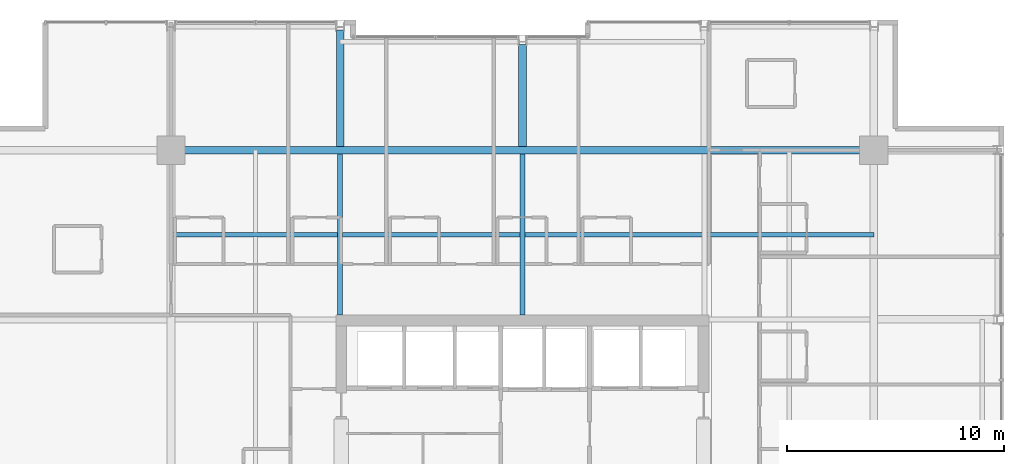
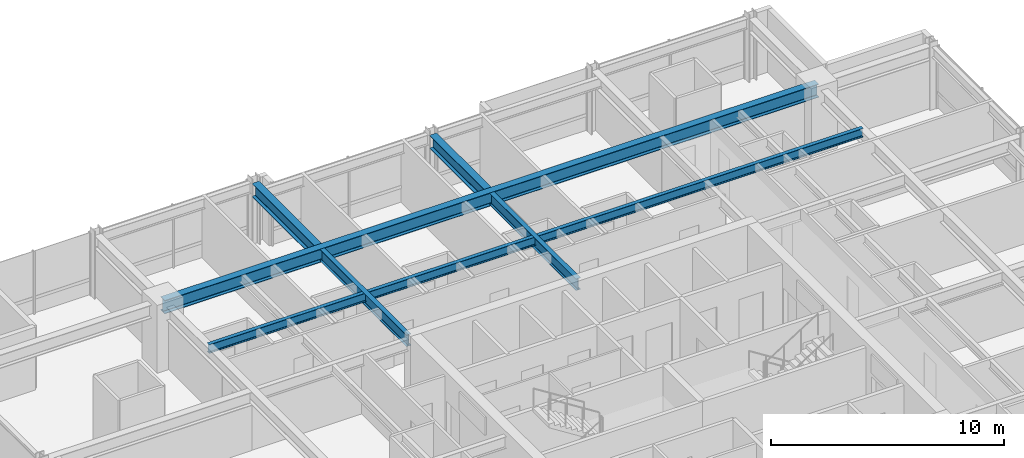
# One storey, part 19 of 33: 6 beams.
"""IFC4 building model written with IfcOpenShell, lengths in metres."""

from ifc_helpers import new_model, si_unit, direction, frame, origin, origin_2d, place, context, subcontext, project, spatial, i_section, extrude, material, material_profile, profile_set, type_object, element, save


model = new_model("IFC4")

# Units and contexts
model_context = context("Model", 3, precision=1e-05, world=origin(), true_north=direction((0.0, 1.0)))
body_context = subcontext(model_context, "Body", "Model", "MODEL_VIEW")
ifc_project = project(units=[si_unit("LENGTHUNIT", "METRE"), si_unit("AREAUNIT", "SQUARE_METRE"), si_unit("VOLUMEUNIT", "CUBIC_METRE"), si_unit("PLANEANGLEUNIT", "RADIAN"), si_unit("MASSUNIT", "GRAM", prefix="KILO")], contexts=[model_context])

# Site, building, storey
site_placement = place(None, origin())
site = spatial("IfcSite", under=ifc_project, at=site_placement, CompositionType="ELEMENT")
building_placement = place(site_placement, origin())
building = spatial("IfcBuilding", under=site, at=building_placement, Name="Drelvath Grand Hotel", CompositionType="ELEMENT")
storey_placement = place(building_placement, frame((0.0, 0.0, 153.949951171875)))
storey = spatial("IfcBuildingStorey", under=building, at=storey_placement, Name="L39", CompositionType="ELEMENT", Elevation=153.949951171875)

# Beams
ifc_material = material(Name="Steel ASTM A992 Gr 50", Category="steel")
ifc_material_profile_1 = material_profile(ifc_material, i_section(OverallWidth=0.19140625, OverallDepth=0.4599609375, WebThickness=0.010009765625, FlangeThickness=0.01611328125, FilletRadius=0.01611328125, at=origin_2d()), Name="W18X55")
ifc_profile_set_1 = profile_set([ifc_material_profile_1], Name="Steel ASTM A992 Gr 50")
beam_type_1 = type_object("IfcBeamType", Name="Composite Floor Joist W18X55", PredefinedType="JOIST", material=ifc_profile_set_1)
beam_1_placement = place(storey_placement, frame((-16.199951171875, 39.300048828125, 3.06005859375), z_axis=(1.0, 0.0, 0.0), x_axis=(0.0, 1.0, 0.0)))
element("IfcBeam", 1, at=beam_1_placement, inside=storey, type_object=beam_type_1, Name="L39 Floor Joist J2", PredefinedType="JOIST", context=body_context, shape_type="SweptSolid", body=[
    extrude(i_section(OverallWidth=0.19140625, OverallDepth=0.4599609375, WebThickness=0.010009765625, FlangeThickness=0.01611328125, FilletRadius=0.01611328125, at=origin_2d()), origin(), (0.0, 0.0, 1.0), 32.39990234375),
])
ifc_material_profile_2 = material_profile(ifc_material, i_section(OverallWidth=0.228271484375, OverallDepth=0.607666015625, WebThickness=0.01123046875, FlangeThickness=0.017333984375, FilletRadius=0.02001953125, at=origin_2d()), Name="W24X76")
ifc_profile_set_2 = profile_set([ifc_material_profile_2], Name="Steel ASTM A992 Gr 50")
beam_type_2 = type_object("IfcBeamType", Name="Primary Floor Girder W24X76", PredefinedType="BEAM", material=ifc_profile_set_2)
for number, where, z_axis, x_axis, name in (
    (2, (-8.39990234375, 35.60009765625, 2.986328125), (0.0, 1.0, 0.0), (-1.0, 0.0, 0.0), "L39 North Core Tie 4"),
    (3, (0.0, 35.60009765625, 2.986328125), (0.0, 1.0, 0.0), (-1.0, 0.0, 0.0), "L39 North Core Tie 5"),
):
    element("IfcBeam", number, at=place(storey_placement, frame(where, z_axis=z_axis, x_axis=x_axis)), inside=storey, type_object=beam_type_2, Name=name, PredefinedType="BEAM", context=body_context, shape_type="SweptSolid", body=[
        extrude(i_section(OverallWidth=0.228271484375, OverallDepth=0.607666015625, WebThickness=0.01123046875, FlangeThickness=0.017333984375, FilletRadius=0.02001953125, at=origin_2d()), origin(), (0.0, 0.0, 1.0), 7.422607421875),
    ])
ifc_material_profile_3 = material_profile(ifc_material, i_section(OverallWidth=0.354736328125, OverallDepth=0.695556640625, WebThickness=0.015380859375, FlangeThickness=0.025146484375, FilletRadius=0.02392578125, at=origin_2d()), Name="W27X146")
ifc_profile_set_3 = profile_set([ifc_material_profile_3], Name="Steel ASTM A992 Gr 50")
beam_type_3 = type_object("IfcBeamType", Name="Primary Floor Girder W27X146", PredefinedType="BEAM", material=ifc_profile_set_3)
beam_2_placement = place(storey_placement, frame((-16.199951171875, 43.199951171875, 2.9423828125), z_axis=(1.0, 0.0, 0.0), x_axis=(0.0, 1.0, 0.0)))
element("IfcBeam", 4, at=beam_2_placement, inside=storey, type_object=beam_type_3, Name="L39 Mega Ring Girder North", PredefinedType="BEAM", context=body_context, shape_type="SweptSolid", body=[
    extrude(i_section(OverallWidth=0.354736328125, OverallDepth=0.695556640625, WebThickness=0.015380859375, FlangeThickness=0.025146484375, FilletRadius=0.02392578125, at=origin_2d()), origin(), (0.0, 0.0, 1.0), 32.39990234375),
])
beam_3_placement = place(storey_placement, frame((-8.39990234375, 43.37744140625, 2.9423828125), z_axis=(0.0, 1.0, 0.0), x_axis=(-1.0, 0.0, 0.0)))
element("IfcBeam", 5, at=beam_3_placement, inside=storey, type_object=beam_type_3, Name="L39 North Wing Girder 4", PredefinedType="BEAM", context=body_context, shape_type="SweptSolid", body=[
    extrude(i_section(OverallWidth=0.354736328125, OverallDepth=0.695556640625, WebThickness=0.015380859375, FlangeThickness=0.025146484375, FilletRadius=0.02392578125, at=origin_2d()), origin(), (0.0, 0.0, 1.0), 5.362548828125),
])
beam_4_placement = place(storey_placement, frame((0.0, 43.37744140625, 2.9423828125), z_axis=(0.0, 1.0, 0.0), x_axis=(-1.0, 0.0, 0.0)))
element("IfcBeam", 6, at=beam_4_placement, inside=storey, type_object=beam_type_3, Name="L39 North Wing Girder 5", PredefinedType="BEAM", context=body_context, shape_type="SweptSolid", body=[
    extrude(i_section(OverallWidth=0.354736328125, OverallDepth=0.695556640625, WebThickness=0.015380859375, FlangeThickness=0.025146484375, FilletRadius=0.02392578125, at=origin_2d()), origin(), (0.0, 0.0, 1.0), 4.6826171875),
])

save(model, "model.ifc")
